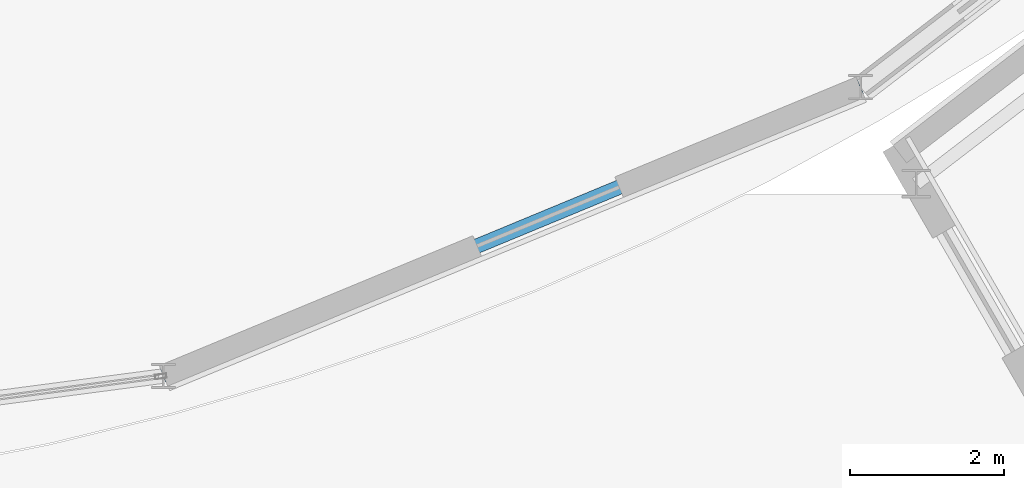
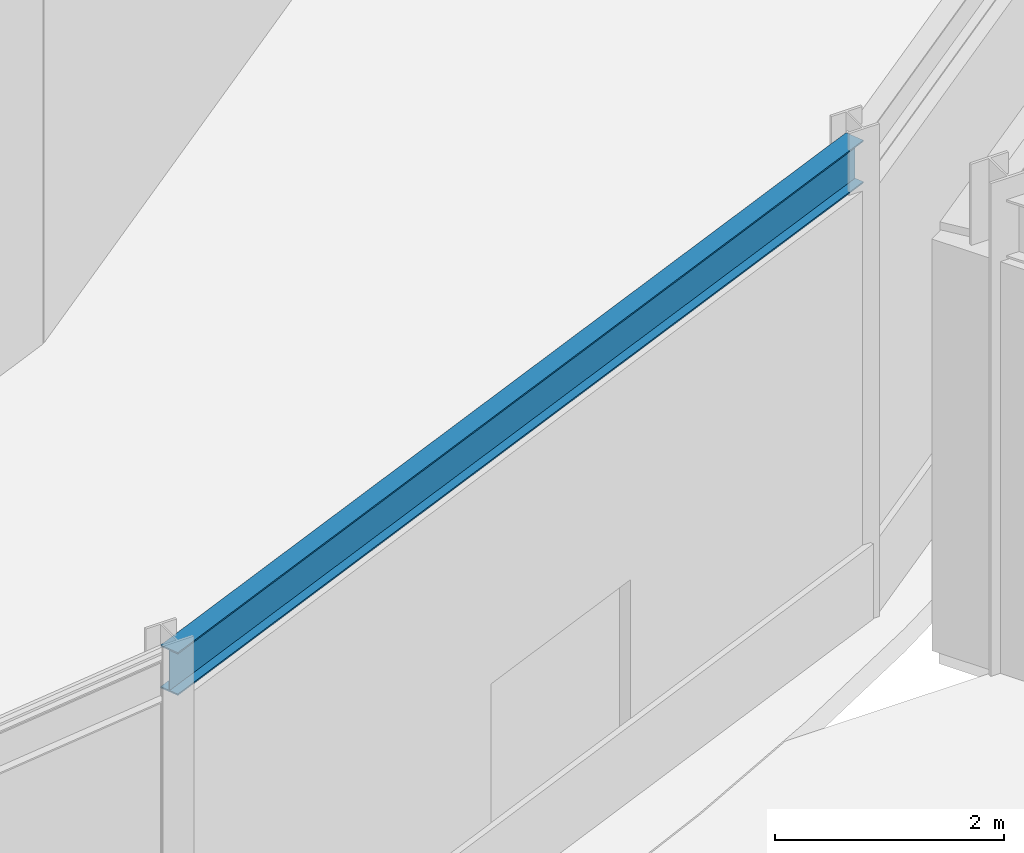
# One storey, part 44 of 168: 1 beam.
"""IFC4 building model written with IfcOpenShell, lengths in metres."""

from ifc_helpers import new_model, si_unit, direction, frame, origin, origin_2d, place, context, subcontext, project, spatial, i_section, extrude, material, material_profile, profile_set, type_object, element, save


model = new_model("IFC4")

# Units and contexts
model_context = context("Model", 3, precision=1e-05, world=origin(), true_north=direction((0.0, 1.0)))
body_context = subcontext(model_context, "Body", "Model", "MODEL_VIEW")
ifc_project = project(units=[si_unit("LENGTHUNIT", "METRE"), si_unit("AREAUNIT", "SQUARE_METRE"), si_unit("VOLUMEUNIT", "CUBIC_METRE"), si_unit("PLANEANGLEUNIT", "RADIAN"), si_unit("MASSUNIT", "GRAM", prefix="KILO")], contexts=[model_context])

# Site, building, storey
site_placement = place(None, origin())
site = spatial("IfcSite", under=ifc_project, at=site_placement, CompositionType="ELEMENT")
building_placement = place(site_placement, origin())
building = spatial("IfcBuilding", under=site, at=building_placement, Name="Almandine Court Research Institute", CompositionType="ELEMENT")
storey_placement = place(building_placement, origin())
storey = spatial("IfcBuildingStorey", under=building, at=storey_placement, Name="L00", CompositionType="ELEMENT", Elevation=0.0)

# Beam
ifc_material = material(Name="Steel ASTM A992 Grade 50", Category="steel")
ifc_material_profile = material_profile(ifc_material, i_section(OverallWidth=0.18994140625, OverallDepth=0.45703125, WebThickness=0.009033203125, FlangeThickness=0.014892578125, at=origin_2d()), Name="W460x74")
ifc_profile_set = profile_set([ifc_material_profile], Name="Steel ASTM A992 Grade 50")
beam_type = type_object("IfcBeamType", Name="Beam-B-01", PredefinedType="BEAM", material=ifc_profile_set)
beam_placement = place(storey_placement, frame((96.7451171875, 19.633056640625, 4.841064453125), z_axis=(0.92387967829, 0.382683080424, 0.0), x_axis=(-0.382683080424, 0.92387967829, 0.0)))
element("IfcBeam", 1, at=beam_placement, inside=storey, type_object=beam_type, Name="L00 Atrium Outer Ring Beam", PredefinedType="BEAM", context=body_context, shape_type="SweptSolid", body=[
    extrude(i_section(OverallWidth=0.18994140625, OverallDepth=0.45703125, WebThickness=0.009033203125, FlangeThickness=0.014892578125, at=origin_2d()), origin(), (0.0, 0.0, 1.0), 9.827880859375),
])

save(model, "model.ifc")
